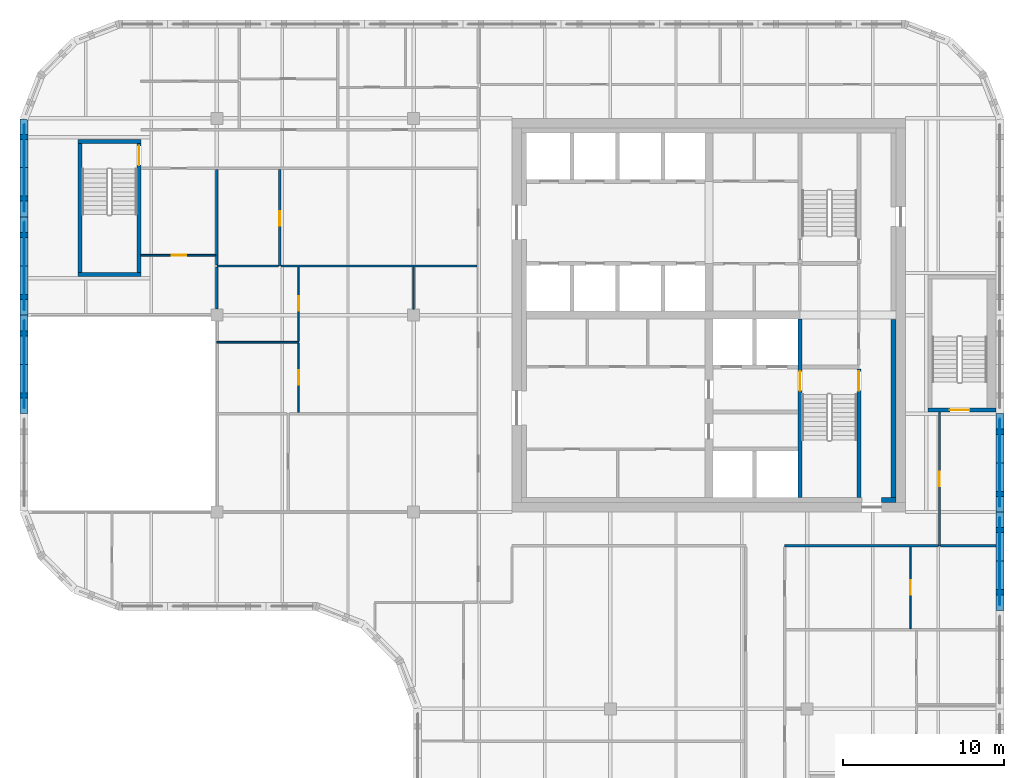
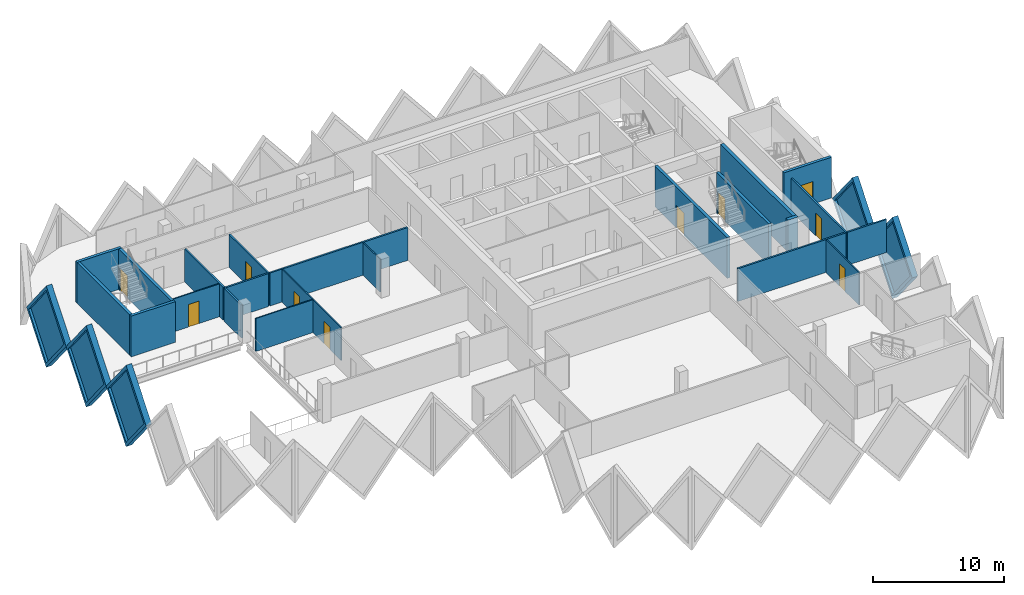
# One storey, part 6 of 11: 28 walls, 10 doors, 5 plates, 15 openings.
"""IFC4 building model written with IfcOpenShell, lengths in metres."""

import ifcopenshell
import ifcopenshell.guid

model = None  # the IFC model being written
_history = None  # IfcOwnerHistory: only IFC2X3 demands one
_inside = {}  # id of a spatial element -> (the spatial element, [elements in it])
_under = {}  # id of a project, library or spatial element -> (it, [spatial elements below it])
_declared = {}  # id of a project -> (the project, [libraries it declares])
_typed = {}  # id of a type object -> (the type object, [elements of that type])
_made_of = {}  # id of a material, layer set ... -> (it, [elements and type objects made of it])


def new_model(schema):
    """Start an empty IFC model of exactly this schema.

    Asked for "IFC4X3", IfcOpenShell would pick the latest addendum, in which some entities
    have other attributes; the version numbers below select the first issue.
    IFC2X3 requires an IfcOwnerHistory on every rooted entity: one is made here for all.
    """
    global model, _history
    if schema == "IFC4X3":
        model = ifcopenshell.file(schema_version=(4, 3, 0, 0))
    else:
        model = ifcopenshell.file(schema=schema)
    _inside.clear()
    _under.clear()
    _declared.clear()
    _typed.clear()
    _made_of.clear()
    _history = None
    if model.schema == "IFC2X3":
        org = make("IfcOrganization", Name="unknown")
        user = make(
            "IfcPersonAndOrganization",
            ThePerson=make("IfcPerson", FamilyName="unknown"),
            TheOrganization=org,
        )
        app = make(
            "IfcApplication",
            ApplicationDeveloper=org,
            Version="unknown",
            ApplicationFullName="unknown",
            ApplicationIdentifier="unknown",
        )
        _history = make(
            "IfcOwnerHistory",
            OwningUser=user,
            OwningApplication=app,
            ChangeAction="ADDED",
            CreationDate=0,
        )
    return model


def make(cls, **values):
    """One entity of the class cls with the attributes given. An attribute that is None is left unset."""
    return model.create_entity(
        cls, **{name: value for name, value in values.items() if value is not None}
    )


def rooted(cls, **values):
    """An entity with a GlobalId (a new one), such as an element, a storey or a relation."""
    return make(cls, GlobalId=ifcopenshell.guid.new(), OwnerHistory=_history, **values)


def si_unit(unit_type, name, prefix=None):
    """IfcSIUnit, for example si_unit("LENGTHUNIT", "METRE", prefix="MILLI")."""
    return make("IfcSIUnit", UnitType=unit_type, Prefix=prefix, Name=name)


def assignment(units):
    """IfcUnitAssignment: the units of a project."""
    return None if units is None else make("IfcUnitAssignment", Units=units)


def point(xyz):
    """IfcCartesianPoint."""
    return None if xyz is None else make("IfcCartesianPoint", Coordinates=xyz)


def direction(xyz):
    """IfcDirection."""
    return None if xyz is None else make("IfcDirection", DirectionRatios=xyz)


def frame(location, z_axis=None, x_axis=None):
    """IfcAxis2Placement3D, a coordinate frame: its origin and axes. An axis left out is left unset."""
    return make(
        "IfcAxis2Placement3D",
        Location=point(location),
        Axis=direction(z_axis),
        RefDirection=direction(x_axis),
    )


def frame_2d(location, x_axis=None):
    """IfcAxis2Placement2D, a coordinate frame in the plane: its origin and x axis."""
    return make(
        "IfcAxis2Placement2D", Location=point(location), RefDirection=direction(x_axis)
    )


def origin():
    """The frame at (0, 0, 0) with its axes left unset."""
    return frame((0.0, 0.0, 0.0))


def place(relative_to, where):
    """IfcLocalPlacement: puts the frame where relative to a parent placement (None: the world)."""
    return make(
        "IfcLocalPlacement", PlacementRelTo=relative_to, RelativePlacement=where
    )


def context(
    kind, dimensions, precision=None, world=None, true_north=None, identifier=None
):
    """IfcGeometricRepresentationContext, for example the 3D "Model" context."""
    return make(
        "IfcGeometricRepresentationContext",
        ContextIdentifier=identifier,
        ContextType=kind,
        CoordinateSpaceDimension=dimensions,
        Precision=precision,
        WorldCoordinateSystem=world,
        TrueNorth=true_north,
    )


def subcontext(parent, identifier, kind, view, scale=None):
    """IfcGeometricRepresentationSubContext, for example "Body" below "Model"."""
    return make(
        "IfcGeometricRepresentationSubContext",
        ContextIdentifier=identifier,
        ContextType=kind,
        ParentContext=parent,
        TargetScale=scale,
        TargetView=view,
    )


def project(units=None, contexts=None):
    """IfcProject with its units and contexts."""
    return rooted(
        "IfcProject",
        Name="project",
        RepresentationContexts=contexts,
        UnitsInContext=assignment(units),
    )


def spatial(cls, under=None, at=None, **own):
    """A site, building, storey or space (cls), placed at a placement, below another one or the project."""
    s = rooted(cls, ObjectPlacement=at, **own)
    if under is not None:
        _under.setdefault(under.id(), (under, []))[1].append(s)
    return s


def polyline(points):
    """IfcPolyline through the points."""
    return make("IfcPolyline", Points=[point(p) for p in points])


def profile(cls, at=None, kind="AREA", **sizes):
    """A parametric profile (cls). Its sizes go by their IFC names, for example OverallWidth=200.0."""
    return make(cls, ProfileType=kind, Position=at, **sizes)


def rectangle(**sizes):
    """IfcRectangleProfileDef."""
    return profile("IfcRectangleProfileDef", **sizes)


def outline(outer, holes=None, kind="AREA"):
    """IfcArbitraryClosedProfileDef: a profile drawn as a closed curve; with holes, ...WithVoids."""
    if holes is None:
        return make("IfcArbitraryClosedProfileDef", ProfileType=kind, OuterCurve=outer)
    return make(
        "IfcArbitraryProfileDefWithVoids",
        ProfileType=kind,
        OuterCurve=outer,
        InnerCurves=holes,
    )


def extrude(swept, where, along, depth):
    """IfcExtrudedAreaSolid: the profile swept, set in the frame where, extruded along a direction by depth."""
    return make(
        "IfcExtrudedAreaSolid",
        SweptArea=swept,
        Position=where,
        ExtrudedDirection=direction(along),
        Depth=depth,
    )


def faces_of(points, faces, orient=None, outer=None):
    """IfcFace entities. A face is a list of loops; a loop is a list of indices into points, from 0.

    orient and outer hold one flag for each loop. By default every Orientation is true, the
    first loop of a face is its IfcFaceOuterBound and the others are IfcFaceBound.
    """
    made = []
    for i, loops in enumerate(faces):
        bounds = []
        for j, loop in enumerate(loops):
            is_outer = j == 0 if outer is None else outer[i][j]
            bounds.append(
                make(
                    "IfcFaceOuterBound" if is_outer else "IfcFaceBound",
                    Bound=make("IfcPolyLoop", Polygon=[points[k] for k in loop]),
                    Orientation=True if orient is None else orient[i][j],
                )
            )
        made.append(make("IfcFace", Bounds=bounds))
    return made


def faceted_brep(points, faces, orient=None, outer=None, voids=None):
    """IfcFacetedBrep: a solid bounded by flat faces; with voids (closed shells), ...WithVoids."""
    shared = [point(p) for p in points]
    hull = make("IfcClosedShell", CfsFaces=faces_of(shared, faces, orient, outer))
    if voids is None:
        return make("IfcFacetedBrep", Outer=hull)
    return make(
        "IfcFacetedBrepWithVoids",
        Outer=hull,
        Voids=[
            make(cls, CfsFaces=faces_of(shared, fs, o, b)) for cls, fs, o, b in voids
        ],
    )


def shape(context_of_items, identifier, shape_type, items):
    """IfcShapeRepresentation: the items that make up one representation, for example the "Body"."""
    return make(
        "IfcShapeRepresentation",
        ContextOfItems=context_of_items,
        RepresentationIdentifier=identifier,
        RepresentationType=shape_type,
        Items=items,
    )


def source(mapping_origin, context_of_items, identifier, shape_type, items):
    """IfcRepresentationMap: a shape defined once, which mapped items show again and again."""
    return make(
        "IfcRepresentationMap",
        MappingOrigin=mapping_origin,
        MappedRepresentation=shape(context_of_items, identifier, shape_type, items),
    )


def transform(
    local_origin,
    x_axis=None,
    y_axis=None,
    z_axis=None,
    scale=None,
    scale2=None,
    scale3=None,
    uniform=True,
):
    """IfcCartesianTransformationOperator3D, or its non-uniform kind. x_axis, y_axis, z_axis: its Axis1, 2, 3."""
    if uniform:
        return make(
            "IfcCartesianTransformationOperator3D",
            Axis1=direction(x_axis),
            Axis2=direction(y_axis),
            LocalOrigin=point(local_origin),
            Scale=scale,
            Axis3=direction(z_axis),
        )
    return make(
        "IfcCartesianTransformationOperator3DnonUniform",
        Axis1=direction(x_axis),
        Axis2=direction(y_axis),
        LocalOrigin=point(local_origin),
        Scale=scale,
        Axis3=direction(z_axis),
        Scale2=scale2,
        Scale3=scale3,
    )


def mapped(mapping_source, mapping_target):
    """IfcMappedItem: shows the shape of a source again, moved by a transform."""
    return make(
        "IfcMappedItem", MappingSource=mapping_source, MappingTarget=mapping_target
    )


def material(Name=None, Category=None):
    """IfcMaterial."""
    return make("IfcMaterial", Name=Name, Category=Category)


def layer(
    of_material, thickness, ventilated=None, Name=None, Category=None, Priority=None
):
    """IfcMaterialLayer: one layer of a wall or slab, of a material (None: an air gap)."""
    return make(
        "IfcMaterialLayer",
        Material=of_material,
        LayerThickness=thickness,
        IsVentilated=ventilated,
        Name=Name,
        Category=Category,
        Priority=Priority,
    )


def layer_set(layers, Name=None):
    """IfcMaterialLayerSet."""
    return make("IfcMaterialLayerSet", MaterialLayers=layers, LayerSetName=Name)


def made_of(thing, what):
    """Note that an element or type object is made of a material, layer set ...; save() writes the relation."""
    if what is not None:
        _made_of.setdefault(what.id(), (what, []))[1].append(thing)
    return thing


def type_object(cls, material=None, **own):
    """A type object (cls), such as IfcWallType, which elements share."""
    return made_of(rooted(cls, **own), material)


def element(
    cls,
    number,
    at=None,
    inside=None,
    cuts=None,
    type_object=None,
    material=None,
    context=None,
    identifier="Body",
    shape_type=None,
    held_by="IfcProductDefinitionShape",
    body=None,
    shapes=None,
    **own,
):
    """One element of the class cls, such as IfcWall. Its Tag is "e" and its number.

    at: its placement. inside: the storey or other place that contains it. cuts: it is an
    opening in that element (IfcRelVoidsElement). A single representation is given by context,
    identifier, shape_type and body (its items); several are given by shapes. held_by: the class
    of the entity that holds the representations. save() writes the other relations.
    """
    e = rooted(cls, Tag="e%d" % number, ObjectPlacement=at, **own)
    if body is not None:
        shapes = [shape(context, identifier, shape_type, body)]
    if shapes is not None:
        e.Representation = make(held_by, Representations=shapes)
    if inside is not None:
        _inside.setdefault(inside.id(), (inside, []))[1].append(e)
    if cuts is not None:
        rooted(
            "IfcRelVoidsElement", RelatingBuildingElement=cuts, RelatedOpeningElement=e
        )
    if type_object is not None:
        _typed.setdefault(type_object.id(), (type_object, []))[1].append(e)
    return made_of(e, material)


def fill(opening, filler):
    """IfcRelFillsElement: the door or window that sits in an opening."""
    return rooted(
        "IfcRelFillsElement",
        RelatingOpeningElement=opening,
        RelatedBuildingElement=filler,
    )


def aggregate(whole, parts):
    """IfcRelAggregates: a whole, such as a stair, and the parts it consists of."""
    return rooted("IfcRelAggregates", RelatingObject=whole, RelatedObjects=parts)


def save(model, path):
    """Write the relations noted so far, then the file.

    IfcRelAggregates (storeys below a building ...), IfcRelContainedInSpatialStructure (elements
    in a storey), IfcRelDefinesByType, IfcRelAssociatesMaterial and IfcRelDeclares: one each for
    every whole, place, type object, material and project.
    """
    for whole, parts in _under.values():
        aggregate(whole, parts)
    for where, things in _inside.values():
        rooted(
            "IfcRelContainedInSpatialStructure",
            RelatedElements=things,
            RelatingStructure=where,
        )
    for kind, things in _typed.values():
        rooted("IfcRelDefinesByType", RelatedObjects=things, RelatingType=kind)
    for what, things in _made_of.values():
        rooted("IfcRelAssociatesMaterial", RelatedObjects=things, RelatingMaterial=what)
    for by, libraries in _declared.values():
        rooted("IfcRelDeclares", RelatingContext=by, RelatedDefinitions=libraries)
    model.write(path)


model = new_model("IFC4")

# Units and contexts
model_context = context("Model", 3, precision=1e-05, world=origin(), true_north=direction((0.0, 1.0)))
body_context = subcontext(model_context, "Body", "Model", "MODEL_VIEW")
ifc_project = project(units=[si_unit("LENGTHUNIT", "METRE"), si_unit("AREAUNIT", "SQUARE_METRE"), si_unit("VOLUMEUNIT", "CUBIC_METRE"), si_unit("PLANEANGLEUNIT", "RADIAN"), si_unit("MASSUNIT", "GRAM", prefix="KILO")], contexts=[model_context])

# Site, building, storey
site_placement = place(None, origin())
site = spatial("IfcSite", under=ifc_project, at=site_placement, CompositionType="ELEMENT")
building_placement = place(site_placement, origin())
building = spatial("IfcBuilding", under=site, at=building_placement, Name="Tessera Gate Towers", CompositionType="ELEMENT")
storey_placement = place(building_placement, frame((0.0, 0.0, 170.60009765625)))
storey = spatial("IfcBuildingStorey", under=building, at=storey_placement, Name="L42", CompositionType="ELEMENT", Elevation=170.60009765625)

# Wall, opening, door
ifc_material_1 = material(Name="Concrete C40/50", Category="concrete")
ifc_layer_1 = layer(ifc_material_1, 0.25)
ifc_layer_set_1 = layer_set([ifc_layer_1], Name="CORE ENCLOSURE WALL 250")
wall_type_1 = type_object("IfcWallType", Name="CORE ENCLOSURE WALL 250", PredefinedType="SOLIDWALL", material=ifc_layer_set_1)
wall_1_placement = place(storey_placement, frame((48.35009765625, 36.35009765625, 0.0), z_axis=(0.0, 0.0, 1.0), x_axis=(0.0, -1.0, 0.0)))
wall_1 = element("IfcWall", 1, at=wall_1_placement, inside=storey, type_object=wall_type_1, Name="L42 shaft and stair enclosure wall", PredefinedType="SOLIDWALL", context=body_context, shape_type="SweptSolid", body=[
    extrude(rectangle(XDim=11.050048828125, YDim=0.25, at=frame_2d((5.52490234375, 0.0))), origin(), (0.0, 0.0, 1.0), 3.7998046875),
])
shared_shape_1 = source(origin(), body_context, "Body", "SweptSolid", [
    extrude(rectangle(XDim=1.199951171875, YDim=2.10009765625, at=frame_2d((0.60009765625, 1.050048828125))), frame((0.0, 0.135009765625, 0.0), z_axis=(0.0, -1.0, 0.0), x_axis=(1.0, 0.0, 0.0)), (0.0, 0.0, 1.0), 0.27001953125),
])
opening_1_placement = place(wall_1_placement, frame((3.22509765625, 0.0, 0.0)))
opening_1 = element("IfcOpeningElement", 2, at=opening_1_placement, cuts=wall_1, Name="Opening SD-ST1-1", PredefinedType="OPENING", context=body_context, shape_type="MappedRepresentation", body=[
    mapped(shared_shape_1, transform((0.0, 0.0, 0.0), scale=1.0)),
])
ifc_material_2 = material(Name="Hollow steel fire door", Category="steel")
door_type_1 = type_object("IfcDoorType", Name="CORE DOOR SD 1200x2100", OperationType="NOTDEFINED", PredefinedType="DOOR", material=ifc_material_2)
shared_shape_2 = source(origin(), body_context, "Body", "SweptSolid", [
    extrude(rectangle(XDim=1.199951171875, YDim=2.10009765625, at=frame_2d((0.60009765625, 1.050048828125))), frame((0.0, 0.02490234375, 0.0), z_axis=(0.0, -1.0, 0.0), x_axis=(1.0, 0.0, 0.0)), (0.0, 0.0, 1.0), 0.050048828125),
])
door_1_placement = place(opening_1_placement, origin())
door_1 = element("IfcDoor", 3, at=door_1_placement, inside=storey, type_object=door_type_1, Name="Stair door", OperationType="SINGLE_SWING_LEFT", OverallHeight=2.10009765625, OverallWidth=1.199951171875, PredefinedType="DOOR", context=body_context, shape_type="MappedRepresentation", body=[
    mapped(shared_shape_2, transform((0.0, 0.0, 0.0), scale=1.0)),
])
fill(opening_1, door_1)

wall_2_placement = place(storey_placement, frame((52.0, 25.300048828125, 0.0), z_axis=(0.0, 0.0, 1.0), x_axis=(0.0, 1.0, 0.0)))
wall_2 = element("IfcWall", 4, at=wall_2_placement, inside=storey, type_object=wall_type_1, Name="L42 shaft and stair enclosure wall", PredefinedType="SOLIDWALL", context=body_context, shape_type="SweptSolid", body=[
    extrude(rectangle(XDim=7.974853515625, YDim=0.25, at=frame_2d((3.9873046875, 0.0))), origin(), (0.0, 0.0, 1.0), 3.7998046875),
])
opening_2_placement = place(wall_2_placement, frame((6.625, 0.0, 0.0)))
opening_2 = element("IfcOpeningElement", 5, at=opening_2_placement, cuts=wall_2, Name="Opening SD-ST1-2", PredefinedType="OPENING", context=body_context, shape_type="MappedRepresentation", body=[
    mapped(shared_shape_1, transform((0.0, 0.0, 0.0), scale=1.0)),
])
door_2_placement = place(opening_2_placement, origin())
door_2 = element("IfcDoor", 6, at=door_2_placement, inside=storey, type_object=door_type_1, Name="Stair door", OperationType="SINGLE_SWING_RIGHT", OverallHeight=2.10009765625, OverallWidth=1.199951171875, PredefinedType="DOOR", context=body_context, shape_type="MappedRepresentation", body=[
    mapped(shared_shape_2, transform((0.0, 0.0, 0.0), scale=1.0)),
])
fill(opening_2, door_2)

# Walls
wall_3_placement = place(storey_placement, frame((7.5, 39.125, 0.0), z_axis=(0.0, 0.0, 1.0), x_axis=(-1.0, 0.0, 0.0)))
element("IfcWall", 7, at=wall_3_placement, inside=storey, type_object=wall_type_1, Name="L42 ST3 enclosure wall", PredefinedType="SOLIDWALL", context=body_context, shape_type="SweptSolid", body=[
    extrude(rectangle(XDim=3.89990234375, YDim=0.25, at=frame_2d((1.949951171875, 0.0))), origin(), (0.0, 0.0, 1.0), 3.7998046875),
])
wall_4_placement = place(storey_placement, frame((3.72509765625, 39.25, 0.0), z_axis=(0.0, 0.0, 1.0), x_axis=(0.0, 1.0, 0.0)))
element("IfcWall", 8, at=wall_4_placement, inside=storey, type_object=wall_type_1, Name="L42 ST3 enclosure wall", PredefinedType="SOLIDWALL", context=body_context, shape_type="SweptSolid", body=[
    extrude(rectangle(XDim=8.0, YDim=0.25, at=frame_2d((4.0, 0.0))), origin(), (0.0, 0.0, 1.0), 3.7998046875),
])
wall_5_placement = place(storey_placement, frame((3.60009765625, 47.375, 0.0), z_axis=(0.0, 0.0, 1.0), x_axis=(1.0, 0.0, 0.0)))
element("IfcWall", 9, at=wall_5_placement, inside=storey, type_object=wall_type_1, Name="L42 ST3 enclosure wall", PredefinedType="SOLIDWALL", context=body_context, shape_type="SweptSolid", body=[
    extrude(rectangle(XDim=3.89990234375, YDim=0.25, at=frame_2d((1.949951171875, 0.0))), origin(), (0.0, 0.0, 1.0), 3.7998046875),
])

# Wall, opening, door
wall_6_placement = place(storey_placement, frame((7.375, 47.25, 0.0), z_axis=(0.0, 0.0, 1.0), x_axis=(0.0, -1.0, 0.0)))
wall_6 = element("IfcWall", 10, at=wall_6_placement, inside=storey, type_object=wall_type_1, Name="L42 ST3 enclosure wall", PredefinedType="SOLIDWALL", context=body_context, shape_type="SweptSolid", body=[
    extrude(rectangle(XDim=8.0, YDim=0.25, at=frame_2d((4.0, 0.0))), origin(), (0.0, 0.0, 1.0), 3.7998046875),
])
opening_3_placement = place(wall_6_placement, frame((0.14990234375, 0.0, 0.0)))
opening_3 = element("IfcOpeningElement", 11, at=opening_3_placement, cuts=wall_6, Name="Opening SD-ST3-1", PredefinedType="OPENING", context=body_context, shape_type="MappedRepresentation", body=[
    mapped(shared_shape_1, transform((0.0, 0.0, 0.0), scale=1.0)),
])
door_3_placement = place(opening_3_placement, origin())
door_3 = element("IfcDoor", 12, at=door_3_placement, inside=storey, type_object=door_type_1, Name="Stair door", OperationType="SINGLE_SWING_LEFT", OverallHeight=2.10009765625, OverallWidth=1.199951171875, PredefinedType="DOOR", context=body_context, shape_type="MappedRepresentation", body=[
    mapped(shared_shape_2, transform((0.0, 0.0, 0.0), scale=1.0)),
])
fill(opening_3, door_3)

wall_7_placement = place(storey_placement, frame((60.5, 30.72509765625, 0.0), z_axis=(0.0, 0.0, 1.0), x_axis=(-1.0, 0.0, 0.0)))
wall_7 = element("IfcWall", 13, at=wall_7_placement, inside=storey, type_object=wall_type_1, Name="L42 ST5 enclosure wall", PredefinedType="SOLIDWALL", context=body_context, shape_type="SweptSolid", body=[
    extrude(rectangle(XDim=4.199951171875, YDim=0.25, at=frame_2d((2.10009765625, 0.0))), origin(), (0.0, 0.0, 1.0), 3.7998046875),
])
opening_4_placement = place(wall_7_placement, frame((1.64990234375, 0.0, 0.0)))
opening_4 = element("IfcOpeningElement", 14, at=opening_4_placement, cuts=wall_7, Name="Opening SD-ST5-1", PredefinedType="OPENING", context=body_context, shape_type="MappedRepresentation", body=[
    mapped(shared_shape_1, transform((0.0, 0.0, 0.0), scale=1.0)),
])
door_4_placement = place(opening_4_placement, origin())
door_4 = element("IfcDoor", 15, at=door_4_placement, inside=storey, type_object=door_type_1, Name="Stair door", OperationType="SINGLE_SWING_RIGHT", OverallHeight=2.10009765625, OverallWidth=1.199951171875, PredefinedType="DOOR", context=body_context, shape_type="MappedRepresentation", body=[
    mapped(shared_shape_2, transform((0.0, 0.0, 0.0), scale=1.0)),
])
fill(opening_4, door_4)

# Walls
ifc_material_3 = material(Name="Concrete C50/60", Category="concrete")
ifc_layer_2 = layer(ifc_material_3, 0.300048828125)
ifc_layer_set_2 = layer_set([ifc_layer_2], Name="CORE WALL THICKENING 300")
wall_type_2 = type_object("IfcWallType", Name="CORE WALL THICKENING 300", PredefinedType="SOLIDWALL", material=ifc_layer_set_2)
wall_8_placement = place(storey_placement, frame((53.39990234375, 25.14990234375, 0.0), z_axis=(0.0, 0.0, 1.0), x_axis=(1.0, 0.0, 0.0)))
element("IfcWall", 16, at=wall_8_placement, inside=storey, type_object=wall_type_2, Name="Core wall thickening S L42", PredefinedType="SOLIDWALL", context=body_context, shape_type="SweptSolid", body=[
    extrude(rectangle(XDim=0.900146484375, YDim=0.300048828125, at=frame_2d((0.4501953125, 0.0))), origin(), (0.0, 0.0, 1.0), 3.7998046875),
])
wall_9_placement = place(storey_placement, frame((54.14990234375, 25.300048828125, 0.0), z_axis=(0.0, 0.0, 1.0), x_axis=(0.0, 1.0, 0.0)))
element("IfcWall", 17, at=wall_9_placement, inside=storey, type_object=wall_type_2, Name="Core wall thickening E L42", PredefinedType="SOLIDWALL", context=body_context, shape_type="SweptSolid", body=[
    extrude(rectangle(XDim=11.02001953125, YDim=0.300048828125, at=frame_2d((5.510009765625, 0.0))), origin(), (0.0, 0.0, 1.0), 3.7998046875),
])
ifc_material_4 = material(Name="Gypsum board on steel studs, mineral wool", Category="steel")
ifc_layer_3 = layer(ifc_material_4, 0.14990234375)
ifc_layer_set_3 = layer_set([ifc_layer_3], Name="CORRIDOR WALL 150")
wall_type_3 = type_object("IfcWallType", Name="CORRIDOR WALL 150", PredefinedType="PARTITIONING", material=ifc_layer_set_3)
wall_10_placement = place(storey_placement, frame((47.39990234375, 22.300048828125, 0.0), z_axis=(0.0, 0.0, 1.0), x_axis=(1.0, 0.0, 0.0)))
element("IfcWall", 18, at=wall_10_placement, inside=storey, type_object=wall_type_3, Name="T1-L42-PW-022", PredefinedType="PARTITIONING", context=body_context, shape_type="SweptSolid", body=[
    extrude(rectangle(XDim=9.524169921875, YDim=0.14990234375, at=frame_2d((4.76220703125, 0.0))), origin(), (0.0, 0.0, 1.0), 3.06689453125),
])

# Wall, opening, door
wall_11_placement = place(storey_placement, frame((57.0, 30.60009765625, 0.0), z_axis=(0.0, 0.0, 1.0), x_axis=(0.0, -1.0, 0.0)))
wall_11 = element("IfcWall", 19, at=wall_11_placement, inside=storey, type_object=wall_type_3, Name="T1-L42-PW-023", PredefinedType="PARTITIONING", context=body_context, shape_type="SweptSolid", body=[
    extrude(rectangle(XDim=8.300048828125, YDim=0.14990234375, at=frame_2d((4.14990234375, 0.0))), origin(), (0.0, 0.0, 1.0), 3.06689453125),
])
shared_shape_3 = source(origin(), body_context, "Body", "SweptSolid", [
    extrude(rectangle(XDim=0.89990234375, YDim=2.10009765625, at=frame_2d((0.449951171875, 1.050048828125))), frame((0.0, 0.0849609375, 0.0), z_axis=(0.0, -1.0, 0.0), x_axis=(1.0, 0.0, 0.0)), (0.0, 0.0, 1.0), 0.169921875),
])
opening_5_placement = place(wall_11_placement, frame((3.699951171875, 0.0, 0.0)))
opening_5 = element("IfcOpeningElement", 20, at=opening_5_placement, cuts=wall_11, Name="Opening D890FD60-A15-06", PredefinedType="OPENING", context=body_context, shape_type="MappedRepresentation", body=[
    mapped(shared_shape_3, transform((0.0, 0.0, 0.0), scale=1.0)),
])
ifc_material_5 = material(Name="Timber door leaf in steel frame", Category="steel")
door_type_2 = type_object("IfcDoorType", Name="CORRIDOR DOOR 900 FD60", OperationType="NOTDEFINED", PredefinedType="DOOR", material=ifc_material_5)
shared_shape_4 = source(origin(), body_context, "Body", "SweptSolid", [
    extrude(rectangle(XDim=0.89990234375, YDim=2.10009765625, at=frame_2d((0.449951171875, 1.050048828125))), frame((0.0, 0.02490234375, 0.0), z_axis=(0.0, -1.0, 0.0), x_axis=(1.0, 0.0, 0.0)), (0.0, 0.0, 1.0), 0.050048828125),
])
door_5_placement = place(opening_5_placement, origin())
door_5 = element("IfcDoor", 21, at=door_5_placement, inside=storey, type_object=door_type_2, Name="T1-L42-PD-022", OperationType="SINGLE_SWING_RIGHT", OverallHeight=2.10009765625, OverallWidth=0.89990234375, PredefinedType="DOOR", context=body_context, shape_type="MappedRepresentation", body=[
    mapped(shared_shape_4, transform((0.0, 0.0, 0.0), scale=1.0)),
])
fill(opening_5, door_5)

ifc_material_6 = material(Name="Gypsum board on steel studs", Category="steel")
ifc_layer_4 = layer(ifc_material_6, 0.10009765625)
ifc_layer_set_4 = layer_set([ifc_layer_4], Name="PARTITION 100")
wall_type_4 = type_object("IfcWallType", Name="PARTITION 100", PredefinedType="PARTITIONING", material=ifc_layer_set_4)
wall_12_placement = place(storey_placement, frame((55.199951171875, 22.22412109375, 0.0), z_axis=(0.0, 0.0, 1.0), x_axis=(0.0, -1.0, 0.0)))
wall_12 = element("IfcWall", 22, at=wall_12_placement, inside=storey, type_object=wall_type_4, Name="T1-L42-PW-014", PredefinedType="PARTITIONING", context=body_context, shape_type="SweptSolid", body=[
    extrude(rectangle(XDim=5.048095703125, YDim=0.10009765625, at=frame_2d((2.52392578125, 0.0))), origin(), (0.0, 0.0, 1.0), 3.06689453125),
])
shared_shape_5 = source(origin(), body_context, "Body", "SweptSolid", [
    extrude(rectangle(XDim=0.89990234375, YDim=2.10009765625, at=frame_2d((0.449951171875, 1.050048828125))), frame((0.0, 0.06005859375, 0.0), z_axis=(0.0, -1.0, 0.0), x_axis=(1.0, 0.0, 0.0)), (0.0, 0.0, 1.0), 0.1201171875),
])
opening_6_placement = place(wall_12_placement, frame((2.048095703125, 0.0, 0.0)))
opening_6 = element("IfcOpeningElement", 23, at=opening_6_placement, cuts=wall_12, Name="Opening D190-A15-08", PredefinedType="OPENING", context=body_context, shape_type="MappedRepresentation", body=[
    mapped(shared_shape_5, transform((0.0, 0.0, 0.0), scale=1.0)),
])
ifc_material_7 = material(Name="Timber door leaf in steel frame", Category="steel")
door_type_3 = type_object("IfcDoorType", Name="INTERNAL DOOR 900 NOT RATED", OperationType="NOTDEFINED", PredefinedType="DOOR", material=ifc_material_7)
door_6_placement = place(opening_6_placement, origin())
door_6 = element("IfcDoor", 24, at=door_6_placement, inside=storey, type_object=door_type_3, Name="T1-L42-PD-010", OperationType="SINGLE_SWING_RIGHT", OverallHeight=2.10009765625, OverallWidth=0.89990234375, PredefinedType="DOOR", context=body_context, shape_type="MappedRepresentation", body=[
    mapped(shared_shape_4, transform((0.0, 0.0, 0.0), scale=1.0)),
])
fill(opening_6, door_6)

wall_13_placement = place(storey_placement, frame((17.27490234375, 30.575927734375, 0.0), z_axis=(0.0, 0.0, 1.0), x_axis=(0.0, 1.0, 0.0)))
wall_13 = element("IfcWall", 25, at=wall_13_placement, inside=storey, type_object=wall_type_4, Name="T1-L42-PW-030", PredefinedType="PARTITIONING", context=body_context, shape_type="SweptSolid", body=[
    extrude(rectangle(XDim=4.29345703125, YDim=0.10009765625, at=frame_2d((2.146728515625, 0.0))), origin(), (0.0, 0.0, 1.0), 3.06689453125),
])
opening_7_placement = place(wall_13_placement, frame((1.699951171875, 0.0, 0.0)))
opening_7 = element("IfcOpeningElement", 26, at=opening_7_placement, cuts=wall_13, Name="Opening D190-A15-02", PredefinedType="OPENING", context=body_context, shape_type="MappedRepresentation", body=[
    mapped(shared_shape_5, transform((0.0, 0.0, 0.0), scale=1.0)),
])
door_7_placement = place(opening_7_placement, origin())
door_7 = element("IfcDoor", 27, at=door_7_placement, inside=storey, type_object=door_type_3, Name="T1-L42-PD-003", OperationType="SINGLE_SWING_LEFT", OverallHeight=2.10009765625, OverallWidth=0.89990234375, PredefinedType="DOOR", context=body_context, shape_type="MappedRepresentation", body=[
    mapped(shared_shape_4, transform((0.0, 0.0, 0.0), scale=1.0)),
])
fill(opening_7, door_7)

# Wall
wall_14_placement = place(storey_placement, frame((12.199951171875, 34.919921875, 0.0), z_axis=(0.0, 0.0, 1.0), x_axis=(1.0, 0.0, 0.0)))
element("IfcWall", 28, at=wall_14_placement, inside=storey, type_object=wall_type_4, Name="T1-L42-PW-031", PredefinedType="PARTITIONING", context=body_context, shape_type="SweptSolid", body=[
    extrude(rectangle(XDim=5.074951171875, YDim=0.10009765625, at=frame_2d((2.53759765625, 0.0))), origin(), (0.0, 0.0, 1.0), 3.06689453125),
])

# Wall, opening, door
wall_15_placement = place(storey_placement, frame((17.27490234375, 34.97119140625, 0.0), z_axis=(0.0, 0.0, 1.0), x_axis=(0.0, 1.0, 0.0)))
wall_15 = element("IfcWall", 29, at=wall_15_placement, inside=storey, type_object=wall_type_4, Name="T1-L42-PW-032", PredefinedType="PARTITIONING", context=body_context, shape_type="SweptSolid", body=[
    extrude(rectangle(XDim=4.602783203125, YDim=0.10009765625, at=frame_2d((2.30126953125, 0.0))), origin(), (0.0, 0.0, 1.0), 3.06689453125),
])
opening_8_placement = place(wall_15_placement, frame((1.89990234375, 0.0, 0.0)))
opening_8 = element("IfcOpeningElement", 30, at=opening_8_placement, cuts=wall_15, Name="Opening D190-A15-06", PredefinedType="OPENING", context=body_context, shape_type="MappedRepresentation", body=[
    mapped(shared_shape_5, transform((0.0, 0.0, 0.0), scale=1.0)),
])
door_8_placement = place(opening_8_placement, origin())
door_8 = element("IfcDoor", 31, at=door_8_placement, inside=storey, type_object=door_type_3, Name="T1-L42-PD-007", OperationType="SINGLE_SWING_LEFT", OverallHeight=2.10009765625, OverallWidth=0.89990234375, PredefinedType="DOOR", context=body_context, shape_type="MappedRepresentation", body=[
    mapped(shared_shape_4, transform((0.0, 0.0, 0.0), scale=1.0)),
])
fill(opening_8, door_8)

# Wall
wall_16_placement = place(storey_placement, frame((24.39990234375, 36.97509765625, 0.0), z_axis=(0.0, 0.0, 1.0), x_axis=(0.0, 1.0, 0.0)))
element("IfcWall", 32, at=wall_16_placement, inside=storey, type_object=wall_type_4, Name="T1-L42-PW-034", PredefinedType="PARTITIONING", context=body_context, shape_type="SweptSolid", body=[
    extrude(rectangle(XDim=2.599853515625, YDim=0.10009765625, at=frame_2d((1.2998046875, 0.0))), origin(), (0.0, 0.0, 1.0), 3.06689453125),
])

# Wall, opening, door
wall_17_placement = place(storey_placement, frame((12.1240234375, 40.31494140625, 0.0), z_axis=(0.0, 0.0, 1.0), x_axis=(-1.0, 0.0, 0.0)))
wall_17 = element("IfcWall", 33, at=wall_17_placement, inside=storey, type_object=wall_type_4, Name="T1-L42-PW-039", PredefinedType="PARTITIONING", context=body_context, shape_type="SweptSolid", body=[
    extrude(rectangle(XDim=4.6240234375, YDim=0.10009765625, at=frame_2d((2.31201171875, 0.0))), origin(), (0.0, 0.0, 1.0), 3.06689453125),
])
opening_9_placement = place(wall_17_placement, frame((1.823974609375, 0.0, 0.0)))
opening_9 = element("IfcOpeningElement", 34, at=opening_9_placement, cuts=wall_17, Name="Opening D190-A15-07", PredefinedType="OPENING", context=body_context, shape_type="MappedRepresentation", body=[
    mapped(shared_shape_5, transform((0.0, 0.0, 0.0), scale=1.0)),
])
door_9_placement = place(opening_9_placement, origin())
door_9 = element("IfcDoor", 35, at=door_9_placement, inside=storey, type_object=door_type_3, Name="T1-L42-PD-008", OperationType="SINGLE_SWING_RIGHT", OverallHeight=2.10009765625, OverallWidth=0.89990234375, PredefinedType="DOOR", context=body_context, shape_type="MappedRepresentation", body=[
    mapped(shared_shape_4, transform((0.0, 0.0, 0.0), scale=1.0)),
])
fill(opening_9, door_9)

# Walls
ifc_material_8 = material(Name="Gypsum board on steel studs, mineral wool", Category="steel")
ifc_layer_5 = layer(ifc_material_8, 0.14990234375)
ifc_layer_set_5 = layer_set([ifc_layer_5], Name="TENANCY WALL 150")
wall_type_5 = type_object("IfcWallType", Name="TENANCY WALL 150", PredefinedType="PARTITIONING", material=ifc_layer_set_5)
wall_18_placement = place(storey_placement, frame((57.075927734375, 22.300048828125, 0.0), z_axis=(0.0, 0.0, 1.0), x_axis=(1.0, 0.0, 0.0)))
element("IfcWall", 36, at=wall_18_placement, inside=storey, type_object=wall_type_5, Name="T1-L42-PW-024", PredefinedType="PARTITIONING", context=body_context, shape_type="SweptSolid", body=[
    extrude(rectangle(XDim=3.424072265625, YDim=0.14990234375, at=frame_2d((1.7119140625, 0.0))), origin(), (0.0, 0.0, 1.0), 3.06689453125),
])
wall_19_placement = place(storey_placement, frame((12.199951171875, 36.97607421875, 0.0), z_axis=(0.0, 0.0, 1.0), x_axis=(0.0, 1.0, 0.0)))
element("IfcWall", 37, at=wall_19_placement, inside=storey, type_object=wall_type_5, Name="T1-L42-PW-033", PredefinedType="PARTITIONING", context=body_context, shape_type="SweptSolid", body=[
    extrude(rectangle(XDim=2.597900390625, YDim=0.14990234375, at=frame_2d((1.298828125, 0.0))), origin(), (0.0, 0.0, 1.0), 3.06689453125),
])
wall_20_placement = place(storey_placement, frame((12.199951171875, 39.64990234375, 0.0), z_axis=(0.0, 0.0, 1.0), x_axis=(1.0, 0.0, 0.0)))
element("IfcWall", 38, at=wall_20_placement, inside=storey, type_object=wall_type_5, Name="T1-L42-PW-035", PredefinedType="PARTITIONING", context=body_context, shape_type="SweptSolid", body=[
    extrude(rectangle(XDim=3.823974609375, YDim=0.14990234375, at=frame_2d((1.912109375, 0.0))), origin(), (0.0, 0.0, 1.0), 3.06689453125),
])

# Wall, opening, door
wall_21_placement = place(storey_placement, frame((16.10009765625, 39.64990234375, 0.0), z_axis=(0.0, 0.0, 1.0), x_axis=(0.0, 1.0, 0.0)))
wall_21 = element("IfcWall", 39, at=wall_21_placement, inside=storey, type_object=wall_type_5, Name="T1-L42-PW-036", PredefinedType="PARTITIONING", context=body_context, shape_type="SweptSolid", body=[
    extrude(rectangle(XDim=5.97412109375, YDim=0.14990234375, at=frame_2d((2.987060546875, 0.0))), origin(), (0.0, 0.0, 1.0), 3.06689453125),
])
opening_10_placement = place(wall_21_placement, frame((2.5, 0.0, 0.0)))
opening_10 = element("IfcOpeningElement", 40, at=opening_10_placement, cuts=wall_21, Name="Opening D190-A15-10", PredefinedType="OPENING", context=body_context, shape_type="MappedRepresentation", body=[
    mapped(shared_shape_3, transform((0.0, 0.0, 0.0), scale=1.0)),
])
door_10_placement = place(opening_10_placement, origin())
door_10 = element("IfcDoor", 41, at=door_10_placement, inside=storey, type_object=door_type_3, Name="T1-L42-PD-015", OperationType="SINGLE_SWING_LEFT", OverallHeight=2.10009765625, OverallWidth=0.89990234375, PredefinedType="DOOR", context=body_context, shape_type="MappedRepresentation", body=[
    mapped(shared_shape_4, transform((0.0, 0.0, 0.0), scale=1.0)),
])
fill(opening_10, door_10)

# Walls
wall_22_placement = place(storey_placement, frame((16.176025390625, 39.64990234375, 0.0), z_axis=(0.0, 0.0, 1.0), x_axis=(1.0, 0.0, 0.0)))
element("IfcWall", 42, at=wall_22_placement, inside=storey, type_object=wall_type_5, Name="T1-L42-PW-037", PredefinedType="PARTITIONING", context=body_context, shape_type="SweptSolid", body=[
    extrude(rectangle(XDim=12.14794921875, YDim=0.14990234375, at=frame_2d((6.073974609375, 0.0))), origin(), (0.0, 0.0, 1.0), 3.06689453125),
])
wall_23_placement = place(storey_placement, frame((12.199951171875, 39.72607421875, 0.0), z_axis=(0.0, 0.0, 1.0), x_axis=(0.0, 1.0, 0.0)))
element("IfcWall", 43, at=wall_23_placement, inside=storey, type_object=wall_type_5, Name="T1-L42-PW-038", PredefinedType="PARTITIONING", context=body_context, shape_type="SweptSolid", body=[
    extrude(rectangle(XDim=5.89794921875, YDim=0.14990234375, at=frame_2d((2.948974609375, 0.0))), origin(), (0.0, 0.0, 1.0), 3.06689453125),
])

# Wall, opening, plate
ifc_material_9 = material(Name="Precast concrete C60/75 white", Category="concrete")
ifc_layer_6 = layer(ifc_material_9, 0.5)
ifc_layer_set_6 = layer_set([ifc_layer_6], Name="TS1 tessera")
wall_type_6 = type_object("IfcWallType", Name="TS1 tessera", PredefinedType="SOLIDWALL", material=ifc_layer_set_6)
shared_shape_6 = source(origin(), body_context, "Body", "Brep", [
    faceted_brep([(3.00341796875, -0.25, 0.0), (6.053466796875, -0.25, 3.800048828125), (3.00341796875, -0.25, 7.599853515625), (0.0, -0.25, 3.800048828125), (0.046630859375, 0.25, 3.85888671875), (3.00341796875, 0.25, 7.599853515625), (6.053466796875, 0.25, 3.800048828125), (3.00341796875, 0.25, 0.0), (0.046630859375, 0.25, 3.7412109375), (0.0, 0.0, 3.800048828125)], [[[0, 1, 2, 3]], [[4, 5, 6, 7, 8]], [[7, 6, 1, 0]], [[6, 5, 2, 1]], [[5, 4, 9, 3, 2]], [[8, 7, 0, 3, 9]], [[8, 9, 4]]]),
])
wall_24_placement = place(storey_placement, frame((0.25, 48.75341796875, -3.800048828125), z_axis=(0.0, 0.0, 1.0), x_axis=(0.0, -1.0, 0.0)))
wall_24 = element("IfcWall", 44, at=wall_24_placement, inside=storey, type_object=wall_type_6, Name="Precast tessera T1 TS1-0730", PredefinedType="SOLIDWALL", context=body_context, shape_type="MappedRepresentation", body=[
    mapped(shared_shape_6, transform((0.0, 0.0, 0.0), scale=1.0)),
])
shared_shape_7 = source(origin(), body_context, "Body", "SweptSolid", [
    extrude(outline(polyline([(3.0048828125, 0.401123046875), (5.73291015625, 3.800048828125), (3.0048828125, 7.19873046875), (0.318603515625, 3.800048828125), (3.0048828125, 0.401123046875)])), frame((0.0, 0.260009765625, 0.0), z_axis=(0.0, -1.0, 0.0), x_axis=(1.0, 0.0, 0.0)), (0.0, 0.0, 1.0), 0.52001953125),
])
opening_11_placement = place(wall_24_placement, origin())
opening_11 = element("IfcOpeningElement", 45, at=opening_11_placement, cuts=wall_24, Name="Opening T1-PL2-1488", PredefinedType="OPENING", context=body_context, shape_type="MappedRepresentation", body=[
    mapped(shared_shape_7, transform((0.0, 0.0, 0.0), scale=1.0)),
])
ifc_material_10 = material(Name="Low-e laminated glass", Category="glass")
ifc_layer_7 = layer(ifc_material_10, 0.06005859375)
ifc_layer_set_7 = layer_set([ifc_layer_7], Name="PL2 rhombic pane")
plate_type = type_object("IfcPlateType", Name="PL2 rhombic pane", PredefinedType="SHEET", material=ifc_layer_set_7)
shared_shape_8 = source(origin(), body_context, "Body", "SweptSolid", [
    extrude(outline(polyline([(3.0048828125, 0.401123046875), (5.73291015625, 3.800048828125), (3.0048828125, 7.19873046875), (0.318603515625, 3.800048828125), (3.0048828125, 0.401123046875)])), frame((0.0, 0.030029296875, 0.0), z_axis=(0.0, -1.0, 0.0), x_axis=(1.0, 0.0, 0.0)), (0.0, 0.0, 1.0), 0.06005859375),
])
plate_1_placement = place(opening_11_placement, origin())
plate_1 = element("IfcPlate", 46, at=plate_1_placement, inside=storey, type_object=plate_type, Name="Glass pane T1 PL2-1488", PredefinedType="SHEET", context=body_context, shape_type="MappedRepresentation", body=[
    mapped(shared_shape_8, transform((0.0, 0.0, 0.0), scale=1.0)),
])
fill(opening_11, plate_1)

shared_shape_9 = source(origin(), body_context, "Body", "Brep", [
    faceted_brep([(3.050048828125, -0.25, 0.0), (6.099853515625, -0.25, 3.7998046875), (6.099853515625, -0.25, 3.80029296875), (3.050048828125, -0.25, 7.599853515625), (0.0, -0.25, 3.800048828125), (0.0, 0.25, 3.800048828125), (3.050048828125, 0.25, 7.599853515625), (6.099853515625, 0.25, 3.80029296875), (6.099853515625, 0.25, 3.7998046875), (3.050048828125, 0.25, 0.0)], [[[0, 1, 2, 3, 4]], [[5, 6, 7, 8, 9]], [[9, 8, 1, 0]], [[7, 6, 3, 2]], [[6, 5, 4, 3]], [[5, 9, 0, 4]], [[1, 8, 7, 2]]]),
])
wall_25_placement = place(storey_placement, frame((60.75, 18.300048828125, -3.800048828125), z_axis=(0.0, 0.0, 1.0), x_axis=(0.0, 1.0, 0.0)))
wall_25 = element("IfcWall", 47, at=wall_25_placement, inside=storey, type_object=wall_type_6, Name="Precast tessera T1 TS1-0718", PredefinedType="SOLIDWALL", context=body_context, shape_type="MappedRepresentation", body=[
    mapped(shared_shape_9, transform((0.0, 0.0, 0.0), scale=1.0)),
])
shared_shape_10 = source(origin(), body_context, "Body", "SweptSolid", [
    extrude(outline(polyline([(3.050048828125, 0.3994140625), (5.779541015625, 3.800048828125), (3.050048828125, 7.200439453125), (0.320556640625, 3.800048828125), (3.050048828125, 0.3994140625)])), frame((0.0, 0.260009765625, 0.0), z_axis=(0.0, -1.0, 0.0), x_axis=(1.0, 0.0, 0.0)), (0.0, 0.0, 1.0), 0.52001953125),
])
opening_12_placement = place(wall_25_placement, origin())
opening_12 = element("IfcOpeningElement", 48, at=opening_12_placement, cuts=wall_25, Name="Opening T1-PL2-1468", PredefinedType="OPENING", context=body_context, shape_type="MappedRepresentation", body=[
    mapped(shared_shape_10, transform((0.0, 0.0, 0.0), scale=1.0)),
])
shared_shape_11 = source(origin(), body_context, "Body", "SweptSolid", [
    extrude(outline(polyline([(3.050048828125, 0.3994140625), (5.779541015625, 3.800048828125), (3.050048828125, 7.200439453125), (0.320556640625, 3.800048828125), (3.050048828125, 0.3994140625)])), frame((0.0, 0.030029296875, 0.0), z_axis=(0.0, -1.0, 0.0), x_axis=(1.0, 0.0, 0.0)), (0.0, 0.0, 1.0), 0.06005859375),
])
plate_2_placement = place(opening_12_placement, origin())
plate_2 = element("IfcPlate", 49, at=plate_2_placement, inside=storey, type_object=plate_type, Name="Glass pane T1 PL2-1468", PredefinedType="SHEET", context=body_context, shape_type="MappedRepresentation", body=[
    mapped(shared_shape_11, transform((0.0, 0.0, 0.0), scale=1.0)),
])
fill(opening_12, plate_2)

wall_26_placement = place(storey_placement, frame((0.25, 42.699951171875, -3.800048828125), z_axis=(0.0, 0.0, 1.0), x_axis=(0.0, -1.0, 0.0)))
wall_26 = element("IfcWall", 50, at=wall_26_placement, inside=storey, type_object=wall_type_6, Name="Precast tessera T1 TS1-0731", PredefinedType="SOLIDWALL", context=body_context, shape_type="MappedRepresentation", body=[
    mapped(shared_shape_9, transform((0.0, 0.0, 0.0), scale=1.0)),
])
opening_13_placement = place(wall_26_placement, origin())
opening_13 = element("IfcOpeningElement", 51, at=opening_13_placement, cuts=wall_26, Name="Opening T1-PL2-1489", PredefinedType="OPENING", context=body_context, shape_type="MappedRepresentation", body=[
    mapped(shared_shape_10, transform((0.0, 0.0, 0.0), scale=1.0)),
])
plate_3_placement = place(opening_13_placement, origin())
plate_3 = element("IfcPlate", 52, at=plate_3_placement, inside=storey, type_object=plate_type, Name="Glass pane T1 PL2-1489", PredefinedType="SHEET", context=body_context, shape_type="MappedRepresentation", body=[
    mapped(shared_shape_11, transform((0.0, 0.0, 0.0), scale=1.0)),
])
fill(opening_13, plate_3)

shared_shape_12 = source(origin(), body_context, "Body", "SweptSolid", [
    extrude(outline(polyline([(3.050048828125, 0.0), (6.10009765625, 3.800048828125), (3.050048828125, 7.599853515625), (0.0, 3.800048828125), (3.050048828125, 0.0)])), frame((0.0, 0.25, 0.0), z_axis=(0.0, -1.0, 0.0), x_axis=(1.0, 0.0, 0.0)), (0.0, 0.0, 1.0), 0.5),
])
wall_27_placement = place(storey_placement, frame((60.75, 24.39990234375, -3.800048828125), z_axis=(0.0, 0.0, 1.0), x_axis=(0.0, 1.0, 0.0)))
wall_27 = element("IfcWall", 53, at=wall_27_placement, inside=storey, type_object=wall_type_6, Name="Precast tessera T1 TS1-0719", PredefinedType="SOLIDWALL", context=body_context, shape_type="MappedRepresentation", body=[
    mapped(shared_shape_12, transform((0.0, 0.0, 0.0), scale=1.0)),
])
opening_14_placement = place(wall_27_placement, origin())
opening_14 = element("IfcOpeningElement", 54, at=opening_14_placement, cuts=wall_27, Name="Opening T1-PL2-1469", PredefinedType="OPENING", context=body_context, shape_type="MappedRepresentation", body=[
    mapped(shared_shape_10, transform((0.0, 0.0, 0.0), scale=1.0)),
])
plate_4_placement = place(opening_14_placement, origin())
plate_4 = element("IfcPlate", 55, at=plate_4_placement, inside=storey, type_object=plate_type, Name="Glass pane T1 PL2-1469", PredefinedType="SHEET", context=body_context, shape_type="MappedRepresentation", body=[
    mapped(shared_shape_11, transform((0.0, 0.0, 0.0), scale=1.0)),
])
fill(opening_14, plate_4)

wall_28_placement = place(storey_placement, frame((0.25, 36.60009765625, -3.800048828125), z_axis=(0.0, 0.0, 1.0), x_axis=(0.0, -1.0, 0.0)))
wall_28 = element("IfcWall", 56, at=wall_28_placement, inside=storey, type_object=wall_type_6, Name="Precast tessera T1 TS1-0732", PredefinedType="SOLIDWALL", context=body_context, shape_type="MappedRepresentation", body=[
    mapped(shared_shape_12, transform((0.0, 0.0, 0.0), scale=1.0)),
])
opening_15_placement = place(wall_28_placement, origin())
opening_15 = element("IfcOpeningElement", 57, at=opening_15_placement, cuts=wall_28, Name="Opening T1-PL2-1490", PredefinedType="OPENING", context=body_context, shape_type="MappedRepresentation", body=[
    mapped(shared_shape_10, transform((0.0, 0.0, 0.0), scale=1.0)),
])
plate_5_placement = place(opening_15_placement, origin())
plate_5 = element("IfcPlate", 58, at=plate_5_placement, inside=storey, type_object=plate_type, Name="Glass pane T1 PL2-1490", PredefinedType="SHEET", context=body_context, shape_type="MappedRepresentation", body=[
    mapped(shared_shape_11, transform((0.0, 0.0, 0.0), scale=1.0)),
])
fill(opening_15, plate_5)

save(model, "model.ifc")
